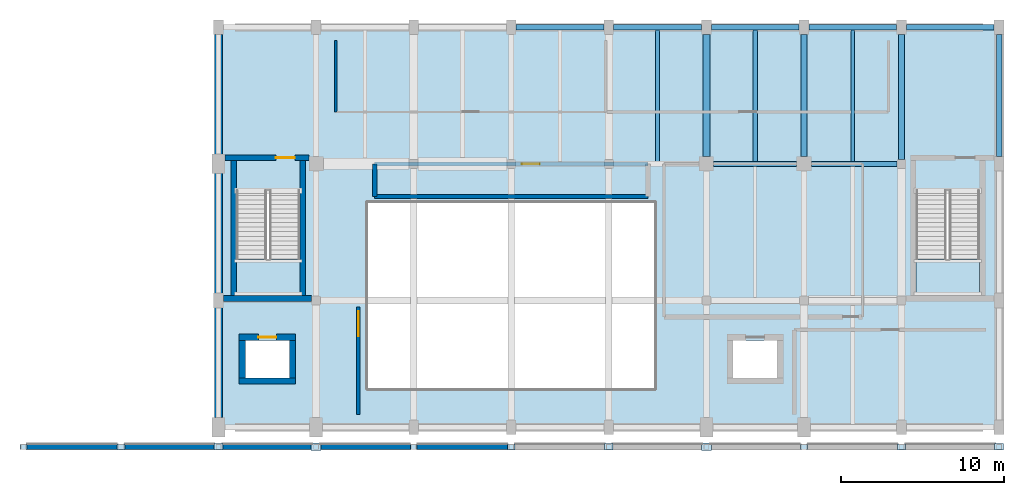
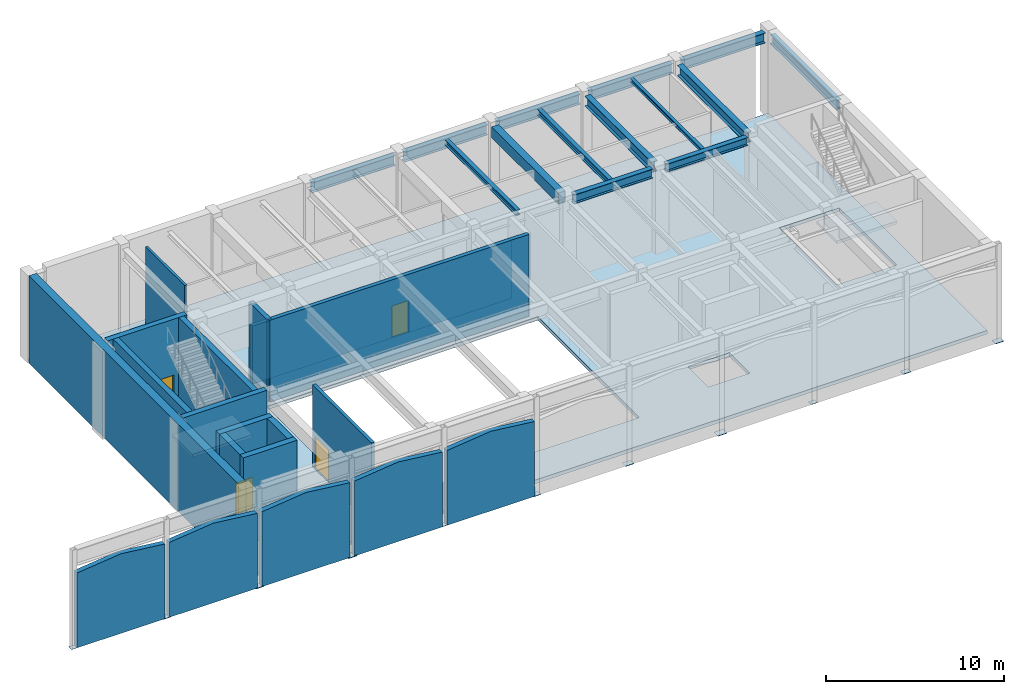
# One storey, part 4 of 8: 19 walls, 14 beams, 11 plates, 4 doors, 3 slabs, 4 openings, 2 elements without a shape of their own.
"""IFC4 building model written with IfcOpenShell, lengths in metres."""

from ifc_helpers import new_model, si_unit, direction, frame, frame_2d, origin, origin_2d, place, context, subcontext, project, spatial, polyline, rectangle, i_section, outline, extrude, material, layer, layer_set, material_profile, profile_set, type_object, element, fill, aggregate, save


model = new_model("IFC4")

# Units and contexts
model_context = context("Model", 3, precision=1e-05, world=origin(), true_north=direction((0.0, 1.0)))
body_context = subcontext(model_context, "Body", "Model", "MODEL_VIEW")
ifc_project = project(units=[si_unit("LENGTHUNIT", "METRE"), si_unit("AREAUNIT", "SQUARE_METRE"), si_unit("VOLUMEUNIT", "CUBIC_METRE"), si_unit("PLANEANGLEUNIT", "RADIAN"), si_unit("MASSUNIT", "GRAM", prefix="KILO")], contexts=[model_context])

# Site, building, storey
site_placement = place(None, origin())
site = spatial("IfcSite", under=ifc_project, at=site_placement, CompositionType="ELEMENT")
building_placement = place(site_placement, origin())
building = spatial("IfcBuilding", under=site, at=building_placement, Name="Vaelkrest Opera House", CompositionType="ELEMENT")
storey_placement = place(building_placement, frame((0.0, 0.0, 30.0)))
storey = spatial("IfcBuildingStorey", under=building, at=storey_placement, Name="L06", CompositionType="ELEMENT", Elevation=30.0)

# Beams
ifc_material_1 = material(Name="Concrete C50/60", Category="concrete")
ifc_material_profile_1 = material_profile(ifc_material_1, rectangle(XDim=0.449951171875, YDim=0.75, at=origin_2d()), Name="RCB450X750")
ifc_profile_set_1 = profile_set([ifc_material_profile_1], Name="Concrete C50/60")
beam_type_1 = type_object("IfcBeamType", Name="B02", PredefinedType="BEAM", material=ifc_profile_set_1)
beam_1_placement = place(storey_placement, frame((12.0, 34.050048828125, 5.330078125), z_axis=(0.0, 1.0, 0.0), x_axis=(-1.0, 0.0, 0.0)))
element("IfcBeam", 1, at=beam_1_placement, inside=storey, type_object=beam_type_1, Name="Beam BM-V2-L06-1243", PredefinedType="BEAM", context=body_context, shape_type="SweptSolid", body=[
    extrude(rectangle(XDim=0.449951171875, YDim=0.75, at=origin_2d()), origin(), (0.0, 0.0, 1.0), 7.5),
])
ifc_material_2 = material(Name="Steel A992 Gr50", Category="steel")
ifc_material_profile_2 = material_profile(ifc_material_2, i_section(OverallWidth=0.35498046875, OverallDepth=0.695068359375, WebThickness=0.015380859375, FlangeThickness=0.02490234375, at=origin_2d()), Name="W27X146")
ifc_profile_set_2 = profile_set([ifc_material_profile_2], Name="Steel A992 Gr50")
beam_type_2 = type_object("IfcBeamType", Name="B10", PredefinedType="BEAM", material=ifc_profile_set_2)
beam_2_placement = place(storey_placement, frame((24.0, 33.875, 5.357421875), z_axis=(0.0, 1.0, 0.0), x_axis=(-1.0, 0.0, 0.0)))
element("IfcBeam", 2, at=beam_2_placement, inside=storey, type_object=beam_type_2, Name="Beam BM-V2-L06-1249", PredefinedType="BEAM", context=body_context, shape_type="SweptSolid", body=[
    extrude(i_section(OverallWidth=0.35498046875, OverallDepth=0.695068359375, WebThickness=0.015380859375, FlangeThickness=0.02490234375, at=origin_2d()), origin(), (0.0, 0.0, 1.0), 7.675048828125),
])
ifc_material_profile_3 = material_profile(ifc_material_2, i_section(OverallWidth=0.35791015625, OverallDepth=0.7060546875, WebThickness=0.018310546875, FlangeThickness=0.0302734375, at=origin_2d()), Name="W27X178")
ifc_profile_set_3 = profile_set([ifc_material_profile_3], Name="Steel A992 Gr50")
beam_type_3 = type_object("IfcBeamType", Name="B14", PredefinedType="BEAM", material=ifc_profile_set_3)
beam_3_placement = place(storey_placement, frame((18.0, 34.050048828125, 5.35205078125), z_axis=(0.0, 1.0, 0.0), x_axis=(-1.0, 0.0, 0.0)))
element("IfcBeam", 3, at=beam_3_placement, inside=storey, type_object=beam_type_3, Name="Beam BM-V2-L06-1246", PredefinedType="BEAM", context=body_context, shape_type="SweptSolid", body=[
    extrude(i_section(OverallWidth=0.35791015625, OverallDepth=0.7060546875, WebThickness=0.018310546875, FlangeThickness=0.0302734375, at=origin_2d()), origin(), (0.0, 0.0, 1.0), 7.5),
])
ifc_material_profile_4 = material_profile(ifc_material_2, i_section(OverallWidth=0.326904296875, OverallDepth=0.6220703125, WebThickness=0.015380859375, FlangeThickness=0.0244140625, at=origin_2d()), Name="W24X131")
ifc_profile_set_4 = profile_set([ifc_material_profile_4], Name="Steel A992 Gr50")
beam_type_4 = type_object("IfcBeamType", Name="B19", PredefinedType="BEAM", material=ifc_profile_set_4)
beam_4_placement = place(storey_placement, frame((12.449951171875, 33.60009765625, 5.39404296875), z_axis=(1.0, 0.0, 0.0), x_axis=(0.0, 1.0, 0.0)))
element("IfcBeam", 4, at=beam_4_placement, inside=storey, type_object=beam_type_4, Name="Beam BM-V2-L06-1219", PredefinedType="BEAM", context=body_context, shape_type="SweptSolid", body=[
    extrude(i_section(OverallWidth=0.326904296875, OverallDepth=0.6220703125, WebThickness=0.015380859375, FlangeThickness=0.0244140625, at=origin_2d()), origin(), (0.0, 0.0, 1.0), 5.10009765625),
])
ifc_material_profile_5 = material_profile(ifc_material_2, i_section(OverallWidth=0.31494140625, OverallDepth=0.551025390625, WebThickness=0.01513671875, FlangeThickness=0.0244140625, at=origin_2d()), Name="W21X122")
ifc_profile_set_5 = profile_set([ifc_material_profile_5], Name="Steel A992 Gr50")
beam_type_5 = type_object("IfcBeamType", Name="B20", PredefinedType="BEAM", material=ifc_profile_set_5)
beam_5_placement = place(storey_placement, frame((18.449951171875, 33.60009765625, 5.429443359375), z_axis=(1.0, 0.0, 0.0), x_axis=(0.0, 1.0, 0.0)))
element("IfcBeam", 5, at=beam_5_placement, inside=storey, type_object=beam_type_5, Name="Beam BM-V2-L06-1220", PredefinedType="BEAM", context=body_context, shape_type="SweptSolid", body=[
    extrude(i_section(OverallWidth=0.31494140625, OverallDepth=0.551025390625, WebThickness=0.01513671875, FlangeThickness=0.0244140625, at=origin_2d()), origin(), (0.0, 0.0, 1.0), 5.275146484375),
])
ifc_material_profile_6 = material_profile(ifc_material_2, i_section(OverallWidth=0.2041015625, OverallDepth=0.257080078125, WebThickness=0.0087890625, FlangeThickness=0.015625, at=origin_2d()), Name="W10X45")
ifc_profile_set_6 = profile_set([ifc_material_profile_6], Name="Steel A992 Gr50")
beam_type_6 = type_object("IfcBeamType", Name="J01", PredefinedType="JOIST", material=ifc_profile_set_6)
beam_6_placement = place(storey_placement, frame((21.0, 33.757568359375, 5.576416015625), z_axis=(0.0, 1.0, 0.0), x_axis=(-1.0, 0.0, 0.0)))
element("IfcBeam", 6, at=beam_6_placement, inside=storey, type_object=beam_type_6, Name="Floor joist JST-V2-L06-1261", PredefinedType="JOIST", context=body_context, shape_type="SweptSolid", body=[
    extrude(i_section(OverallWidth=0.2041015625, OverallDepth=0.257080078125, WebThickness=0.0087890625, FlangeThickness=0.015625, at=origin_2d()), origin(), (0.0, 0.0, 1.0), 8.06494140625),
])
ifc_material_profile_7 = material_profile(ifc_material_2, i_section(OverallWidth=0.257080078125, OverallDepth=0.363037109375, WebThickness=0.012939453125, FlangeThickness=0.021728515625, at=origin_2d()), Name="W14X82")
ifc_profile_set_7 = profile_set([ifc_material_profile_7], Name="Steel A992 Gr50")
beam_type_7 = type_object("IfcBeamType", Name="J06", PredefinedType="JOIST", material=ifc_profile_set_7)
beam_7_placement = place(storey_placement, frame((9.0, 33.763916015625, 5.5234375), z_axis=(0.0, 1.0, 0.0), x_axis=(-1.0, 0.0, 0.0)))
element("IfcBeam", 7, at=beam_7_placement, inside=storey, type_object=beam_type_7, Name="Floor joist JST-V2-L06-1256", PredefinedType="JOIST", context=body_context, shape_type="SweptSolid", body=[
    extrude(i_section(OverallWidth=0.257080078125, OverallDepth=0.363037109375, WebThickness=0.012939453125, FlangeThickness=0.021728515625, at=origin_2d()), origin(), (0.0, 0.0, 1.0), 8.05859375),
])
ifc_material_profile_8 = material_profile(ifc_material_2, i_section(OverallWidth=0.261962890625, OverallDepth=0.4189453125, WebThickness=0.01171875, FlangeThickness=0.019287109375, at=origin_2d()), Name="W16X77")
ifc_profile_set_8 = profile_set([ifc_material_profile_8], Name="Steel A992 Gr50")
beam_type_8 = type_object("IfcBeamType", Name="J08", PredefinedType="JOIST", material=ifc_profile_set_8)
beam_8_placement = place(storey_placement, frame((15.0, 33.763427734375, 5.49560546875), z_axis=(0.0, 1.0, 0.0), x_axis=(-1.0, 0.0, 0.0)))
element("IfcBeam", 8, at=beam_8_placement, inside=storey, type_object=beam_type_8, Name="Floor joist JST-V2-L06-1258", PredefinedType="JOIST", context=body_context, shape_type="SweptSolid", body=[
    extrude(i_section(OverallWidth=0.261962890625, OverallDepth=0.4189453125, WebThickness=0.01171875, FlangeThickness=0.019287109375, at=origin_2d()), origin(), (0.0, 0.0, 1.0), 8.05908203125),
])
ifc_material_profile_9 = material_profile(ifc_material_2, i_section(OverallWidth=0.323974609375, OverallDepth=0.611083984375, WebThickness=0.0126953125, FlangeThickness=0.01904296875, at=origin_2d()), Name="W24X104")
ifc_profile_set_9 = profile_set([ifc_material_profile_9], Name="Steel A992 Gr50")
beam_type_9 = type_object("IfcBeamType", Name="SP01", PredefinedType="SPANDREL", material=ifc_profile_set_9)
beam_9_placement = place(storey_placement, frame((30.0, 34.050048828125, 5.3994140625), z_axis=(0.0, 1.0, 0.0), x_axis=(-1.0, 0.0, 0.0)))
element("IfcBeam", 9, at=beam_9_placement, inside=storey, type_object=beam_type_9, Name="Beam BM-V2-L06-1252", PredefinedType="SPANDREL", context=body_context, shape_type="SweptSolid", body=[
    extrude(i_section(OverallWidth=0.323974609375, OverallDepth=0.611083984375, WebThickness=0.0126953125, FlangeThickness=0.01904296875, at=origin_2d()), origin(), (0.0, 0.0, 1.0), 7.5),
])
ifc_material_profile_10 = material_profile(ifc_material_2, i_section(OverallWidth=0.35498046875, OverallDepth=0.695068359375, WebThickness=0.015380859375, FlangeThickness=0.02490234375, at=origin_2d()), Name="W27X146")
ifc_profile_set_10 = profile_set([ifc_material_profile_10], Name="Steel A992 Gr50")
beam_type_10 = type_object("IfcBeamType", Name="SP02", PredefinedType="SPANDREL", material=ifc_profile_set_10)
for number, where, z_axis, x_axis, name in (
    (10, (0.300048828125, 42.0, 5.357421875), (1.0, 0.0, 0.0), (0.0, 1.0, 0.0), "Beam BM-V2-L06-1224"),
    (11, (6.300048828125, 42.0, 5.357421875), (1.0, 0.0, 0.0), (0.0, 1.0, 0.0), "Beam BM-V2-L06-1225"),
    (12, (12.300048828125, 42.0, 5.357421875), (1.0, 0.0, 0.0), (0.0, 1.0, 0.0), "Beam BM-V2-L06-1226"),
    (13, (18.300048828125, 42.0, 5.357421875), (1.0, 0.0, 0.0), (0.0, 1.0, 0.0), "Beam BM-V2-L06-1227"),
    (14, (24.300048828125, 42.0, 5.357421875), (1.0, 0.0, 0.0), (0.0, 1.0, 0.0), "Beam BM-V2-L06-1228"),
):
    element("IfcBeam", number, at=place(storey_placement, frame(where, z_axis=z_axis, x_axis=x_axis)), inside=storey, type_object=beam_type_10, Name=name, PredefinedType="SPANDREL", context=body_context, shape_type="SweptSolid", body=[
        extrude(i_section(OverallWidth=0.35498046875, OverallDepth=0.695068359375, WebThickness=0.015380859375, FlangeThickness=0.02490234375, at=origin_2d()), origin(), (0.0, 0.0, 1.0), 5.39990234375),
    ])

# Slab
ifc_material_3 = material(Name="Concrete C40/50", Category="concrete")
ifc_layer_1 = layer(ifc_material_3, 0.2451171875)
ifc_layer_set_1 = layer_set([ifc_layer_1], Name="Concrete C40/50")
slab_type_1 = type_object("IfcSlabType", Name="FS01", PredefinedType="FLOOR", material=ifc_layer_set_1)
slab_1_placement = place(storey_placement, frame((0.0, 0.0, -0.2451171875)))
element("IfcSlab", 15, at=slab_1_placement, inside=storey, type_object=slab_type_1, Name="Floor slab SLB-V2-L06-016", PredefinedType="FLOOR", context=body_context, shape_type="SweptSolid", body=[
    extrude(outline(polyline([(-18.0, 17.39990234375), (30.0, 17.39990234375), (30.0, 42.0), (-18.0, 42.0), (-18.0, 17.39990234375)]), holes=[polyline([(-8.800048828125, 19.800048828125), (8.800048828125, 19.800048828125), (8.800048828125, 31.199951171875), (-8.800048828125, 31.199951171875), (-8.800048828125, 19.800048828125)]), polyline([(-16.89990234375, 31.949951171875), (-16.89990234375, 25.5), (-13.0, 25.5), (-13.0, 31.949951171875), (-16.89990234375, 31.949951171875)]), polyline([(24.89990234375, 31.949951171875), (24.89990234375, 25.5), (28.800048828125, 25.5), (28.800048828125, 31.949951171875), (24.89990234375, 31.949951171875)]), polyline([(-16.35009765625, 20.449951171875), (-13.64990234375, 20.449951171875), (-13.64990234375, 22.75), (-16.35009765625, 22.75), (-16.35009765625, 20.449951171875)]), polyline([(13.64990234375, 20.449951171875), (16.35009765625, 20.449951171875), (16.35009765625, 22.75), (13.64990234375, 22.75), (13.64990234375, 20.449951171875)])]), origin(), (0.0, 0.0, 1.0), 0.2451171875),
])

# Plates
ifc_material_4 = material(Name="Steel A572 Gr50", Category="steel")
ifc_layer_2 = layer(ifc_material_4, 0.02001953125)
ifc_layer_set_2 = layer_set([ifc_layer_2], Name="Steel A572 Gr50")
plate_type_1 = type_object("IfcPlateType", Name="GP01", PredefinedType="USERDEFINED", material=ifc_layer_set_2)
for number, where, z_axis, x_axis, name in (
    (16, (-30.0, 16.199951171875, 0.0), (0.0, 0.0, 1.0), (1.0, 0.0, 0.0), "Roof leg base plate V1-N-00"),
    (17, (-6.0, 16.199951171875, 0.0), (0.0, 0.0, 1.0), (1.0, 0.0, 0.0), "Roof leg base plate V1-N-04"),
    (18, (18.0, 16.199951171875, 0.0), (0.0, 0.0, 1.0), (1.0, 0.0, 0.0), "Roof leg base plate V1-N-08"),
):
    element("IfcPlate", number, at=place(storey_placement, frame(where, z_axis=z_axis, x_axis=x_axis)), inside=storey, type_object=plate_type_1, Name=name, ObjectType="GUSSET PLATE", PredefinedType="USERDEFINED", context=body_context, shape_type="SweptSolid", body=[
        extrude(rectangle(XDim=0.419921875, YDim=0.320068359375, at=origin_2d()), origin(), (0.0, 0.0, 1.0), 0.02001953125),
    ])
ifc_layer_3 = layer(ifc_material_4, 0.02392578125)
ifc_layer_set_3 = layer_set([ifc_layer_3], Name="Steel A572 Gr50")
plate_type_2 = type_object("IfcPlateType", Name="GP02", PredefinedType="USERDEFINED", material=ifc_layer_set_3)
for number, where, z_axis, x_axis, name in (
    (19, (-24.0, 16.199951171875, 0.0), (0.0, 0.0, 1.0), (1.0, 0.0, 0.0), "Roof leg base plate V1-N-01"),
    (20, (0.0, 16.199951171875, 0.0), (0.0, 0.0, 1.0), (1.0, 0.0, 0.0), "Roof leg base plate V1-N-05"),
    (21, (24.0, 16.199951171875, 0.0), (0.0, 0.0, 1.0), (1.0, 0.0, 0.0), "Roof leg base plate V1-N-09"),
):
    element("IfcPlate", number, at=place(storey_placement, frame(where, z_axis=z_axis, x_axis=x_axis)), inside=storey, type_object=plate_type_2, Name=name, ObjectType="GUSSET PLATE", PredefinedType="USERDEFINED", context=body_context, shape_type="SweptSolid", body=[
        extrude(rectangle(XDim=0.47998046875, YDim=0.360107421875, at=origin_2d()), origin(), (0.0, 0.0, 1.0), 0.02392578125),
    ])
ifc_layer_4 = layer(ifc_material_4, 0.028076171875)
ifc_layer_set_4 = layer_set([ifc_layer_4], Name="Steel A572 Gr50")
plate_type_3 = type_object("IfcPlateType", Name="GP03", PredefinedType="USERDEFINED", material=ifc_layer_set_4)
for number, where, z_axis, x_axis, name in (
    (22, (-18.0, 16.199951171875, 0.0), (0.0, 0.0, 1.0), (1.0, 0.0, 0.0), "Roof leg base plate V1-N-02"),
    (23, (6.0, 16.199951171875, 0.0), (0.0, 0.0, 1.0), (1.0, 0.0, 0.0), "Roof leg base plate V1-N-06"),
    (24, (30.0, 16.199951171875, 0.0), (0.0, 0.0, 1.0), (1.0, 0.0, 0.0), "Roof leg base plate V1-N-10"),
):
    element("IfcPlate", number, at=place(storey_placement, frame(where, z_axis=z_axis, x_axis=x_axis)), inside=storey, type_object=plate_type_3, Name=name, ObjectType="GUSSET PLATE", PredefinedType="USERDEFINED", context=body_context, shape_type="SweptSolid", body=[
        extrude(rectangle(XDim=0.5400390625, YDim=0.39990234375, at=origin_2d()), origin(), (0.0, 0.0, 1.0), 0.028076171875),
    ])
ifc_layer_5 = layer(ifc_material_4, 0.031982421875)
ifc_layer_set_5 = layer_set([ifc_layer_5], Name="Steel A572 Gr50")
plate_type_4 = type_object("IfcPlateType", Name="GP04", PredefinedType="USERDEFINED", material=ifc_layer_set_5)
for number, where, z_axis, x_axis, name in (
    (25, (-12.0, 16.199951171875, 0.0), (0.0, 0.0, 1.0), (1.0, 0.0, 0.0), "Roof leg base plate V1-N-03"),
    (26, (12.0, 16.199951171875, 0.0), (0.0, 0.0, 1.0), (1.0, 0.0, 0.0), "Roof leg base plate V1-N-07"),
):
    element("IfcPlate", number, at=place(storey_placement, frame(where, z_axis=z_axis, x_axis=x_axis)), inside=storey, type_object=plate_type_4, Name=name, ObjectType="GUSSET PLATE", PredefinedType="USERDEFINED", context=body_context, shape_type="SweptSolid", body=[
        extrude(rectangle(XDim=0.60009765625, YDim=0.449951171875, at=origin_2d()), origin(), (0.0, 0.0, 1.0), 0.031982421875),
    ])

# Stair, slab
stair_type_1 = type_object("IfcStairType", Name="ST05", PredefinedType="TWO_STRAIGHT_RUN_STAIR", material=ifc_material_3)
stair_1_placement = place(storey_placement, origin())
stair_1 = element("IfcStair", 27, at=stair_1_placement, inside=storey, type_object=stair_type_1, Name="L06 Protected exit stair ST05", PredefinedType="TWO_STRAIGHT_RUN_STAIR")
ifc_layer_6 = layer(ifc_material_3, 0.199951171875)
ifc_layer_set_6 = layer_set([ifc_layer_6], Name="Concrete C40/50")
slab_type_2 = type_object("IfcSlabType", Name="SLD01", PredefinedType="LANDING", material=ifc_layer_set_6)
slab_2_placement = place(storey_placement, frame((0.0, 0.0, 2.800048828125)))
slab_2 = element("IfcSlab", 28, at=slab_2_placement, type_object=slab_type_2, Name="ST05 landing 1", PredefinedType="LANDING", context=body_context, shape_type="SweptSolid", body=[
    extrude(outline(polyline([(-16.89990234375, 27.75), (-16.89990234375, 25.5), (-13.0, 25.5), (-13.0, 27.75), (-16.89990234375, 27.75)])), origin(), (0.0, 0.0, 1.0), 0.199951171875),
])
aggregate(stair_1, [slab_2])

stair_type_2 = type_object("IfcStairType", Name="ST06", PredefinedType="TWO_STRAIGHT_RUN_STAIR", material=ifc_material_3)
stair_2_placement = place(storey_placement, origin())
stair_2 = element("IfcStair", 29, at=stair_2_placement, inside=storey, type_object=stair_type_2, Name="L06 Protected exit stair ST06", PredefinedType="TWO_STRAIGHT_RUN_STAIR")
slab_3_placement = place(storey_placement, frame((0.0, 0.0, 2.800048828125)))
slab_3 = element("IfcSlab", 30, at=slab_3_placement, type_object=slab_type_2, Name="ST06 landing 1", PredefinedType="LANDING", context=body_context, shape_type="SweptSolid", body=[
    extrude(outline(polyline([(24.89990234375, 27.75), (24.89990234375, 25.5), (28.800048828125, 25.5), (28.800048828125, 27.75), (24.89990234375, 27.75)])), origin(), (0.0, 0.0, 1.0), 0.199951171875),
])
aggregate(stair_2, [slab_3])

# Walls
ifc_material_5 = material(Name="American black walnut acoustic timber", Category="wood")
ifc_layer_7 = layer(ifc_material_5, 0.31494140625)
ifc_layer_set_7 = layer_set([ifc_layer_7], Name="American black walnut acoustic timber")
wall_type_1 = type_object("IfcWallType", Name="EW04", PredefinedType="STANDARD", material=ifc_layer_set_7)
for number, where, z_axis, x_axis, name in (
    (31, (-29.85009765625, 16.199951171875, 0.0), (0.0, 0.0, 1.0), (1.0, 0.0, 0.0), "Pleated roof timber gable infill wall V1-01"),
    (32, (-23.85009765625, 16.199951171875, 0.0), (0.0, 0.0, 1.0), (1.0, 0.0, 0.0), "Pleated roof timber gable infill wall V1-02"),
    (33, (-17.85009765625, 16.199951171875, 0.0), (0.0, 0.0, 1.0), (1.0, 0.0, 0.0), "Pleated roof timber gable infill wall V1-03"),
    (34, (-11.85009765625, 16.199951171875, 0.0), (0.0, 0.0, 1.0), (1.0, 0.0, 0.0), "Pleated roof timber gable infill wall V1-04"),
    (35, (-5.85009765625, 16.199951171875, 0.0), (0.0, 0.0, 1.0), (1.0, 0.0, 0.0), "Pleated roof timber gable infill wall V1-05"),
):
    element("IfcWall", number, at=place(storey_placement, frame(where, z_axis=z_axis, x_axis=x_axis)), inside=storey, type_object=wall_type_1, Name=name, PredefinedType="STANDARD", context=body_context, shape_type="SweptSolid", body=[
        extrude(outline(polyline([(0.0, 0.0), (5.7001953125, 0.0), (5.699951171875, 5.135986328125), (2.85009765625, 5.4599609375), (0.0, 5.135986328125), (0.0, 0.0)])), frame((0.0, 0.157470703125, 0.0), z_axis=(0.0, -1.0, 0.0), x_axis=(1.0, 0.0, 0.0)), (0.0, 0.0, 1.0), 0.31494140625),
    ])
ifc_material_6 = material(Name="Gypsum acoustic board", Category="gypsum")
ifc_layer_8 = layer(ifc_material_6, 0.14990234375)
ifc_layer_set_8 = layer_set([ifc_layer_8], Name="Gypsum acoustic board")
wall_type_2 = type_object("IfcWallType", Name="PT03", PredefinedType="PARTITIONING", material=ifc_layer_set_8)
wall_1_placement = place(storey_placement, frame((-10.800048828125, 36.800048828125, 0.0), z_axis=(0.0, 0.0, 1.0), x_axis=(0.0, 1.0, 0.0)))
element("IfcWall", 36, at=wall_1_placement, inside=storey, type_object=wall_type_2, Name="Interior partition PT-V2-L06-0241", PredefinedType="PARTITIONING", context=body_context, shape_type="SweptSolid", body=[
    extrude(rectangle(XDim=4.39990234375, YDim=0.14990234375, at=frame_2d((2.199951171875, 0.0))), origin(), (0.0, 0.0, 1.0), 5.6201171875),
])

# Wall, opening, door
ifc_layer_9 = layer(ifc_material_5, 0.2099609375)
ifc_layer_set_9 = layer_set([ifc_layer_9], Name="American black walnut acoustic timber")
wall_type_3 = type_object("IfcWallType", Name="PT07", PredefinedType="PARTITIONING", material=ifc_layer_set_9)
wall_2_placement = place(storey_placement, frame((-9.39990234375, 18.199951171875, 0.0), z_axis=(0.0, 0.0, 1.0), x_axis=(0.0, 1.0, 0.0)))
wall_2 = element("IfcWall", 37, at=wall_2_placement, inside=storey, type_object=wall_type_3, Name="Interior partition PT-V2-L06-0235", PredefinedType="PARTITIONING", context=body_context, shape_type="SweptSolid", body=[
    extrude(rectangle(XDim=6.60009765625, YDim=0.2099609375, at=frame_2d((3.300048828125, 0.0))), origin(), (0.0, 0.0, 1.0), 5.6201171875),
])
opening_1_placement = place(wall_2_placement, frame((4.800048828125, 0.0, 0.0)))
opening_1 = element("IfcOpeningElement", 38, at=opening_1_placement, cuts=wall_2, Name="Opening D091", PredefinedType="OPENING", context=body_context, shape_type="SweptSolid", body=[
    extrude(rectangle(XDim=1.550048828125, YDim=2.199951171875, at=frame_2d((0.77490234375, 1.10009765625))), frame((0.0, 0.114990234375, 0.0), z_axis=(0.0, -1.0, 0.0), x_axis=(1.0, 0.0, 0.0)), (0.0, 0.0, 1.0), 0.22998046875),
])
door_type_1 = type_object("IfcDoorType", Name="DT13", OperationType="DOUBLE_DOOR_SINGLE_SWING", PredefinedType="DOOR", material=ifc_material_5)
door_1_placement = place(opening_1_placement, origin())
door_1 = element("IfcDoor", 39, at=door_1_placement, inside=storey, type_object=door_type_1, Name="Interior door D091 (Fly Gallery)", OperationType="DOUBLE_DOOR_SINGLE_SWING", OverallHeight=2.199951171875, OverallWidth=1.550048828125, PredefinedType="DOOR", context=body_context, shape_type="SweptSolid", body=[
    extrude(rectangle(XDim=1.550048828125, YDim=2.199951171875, at=frame_2d((0.77490234375, 1.10009765625))), frame((0.0, 0.02490234375, 0.0), z_axis=(0.0, -1.0, 0.0), x_axis=(1.0, 0.0, 0.0)), (0.0, 0.0, 1.0), 0.050048828125),
])
fill(opening_1, door_1)

# Wall
ifc_layer_10 = layer(ifc_material_3, 0.239990234375)
ifc_layer_set_10 = layer_set([ifc_layer_10], Name="Concrete C40/50")
wall_type_4 = type_object("IfcWallType", Name="PT09", PredefinedType="PARTITIONING", material=ifc_layer_set_10)
wall_3_placement = place(storey_placement, frame((-8.39990234375, 31.60009765625, 0.0), z_axis=(0.0, 0.0, 1.0), x_axis=(1.0, 0.0, 0.0)))
element("IfcWall", 40, at=wall_3_placement, inside=storey, type_object=wall_type_4, Name="Interior partition PT-V2-L06-0247", PredefinedType="PARTITIONING", context=body_context, shape_type="SweptSolid", body=[
    extrude(rectangle(XDim=16.7998046875, YDim=0.239990234375, at=frame_2d((8.39990234375, 0.0))), origin(), (0.0, 0.0, 1.0), 5.6201171875),
])

# Wall, opening, door
ifc_layer_11 = layer(ifc_material_3, 0.260009765625)
ifc_layer_set_11 = layer_set([ifc_layer_11], Name="Concrete C40/50")
wall_type_5 = type_object("IfcWallType", Name="PT10", PredefinedType="PARTITIONING", material=ifc_layer_set_11)
wall_4_placement = place(storey_placement, frame((-8.39990234375, 33.60009765625, 0.0), z_axis=(0.0, 0.0, 1.0), x_axis=(1.0, 0.0, 0.0)))
wall_4 = element("IfcWall", 41, at=wall_4_placement, inside=storey, type_object=wall_type_5, Name="Interior partition PT-V2-L06-0248", PredefinedType="PARTITIONING", context=body_context, shape_type="SweptSolid", body=[
    extrude(rectangle(XDim=16.7998046875, YDim=0.260009765625, at=frame_2d((8.39990234375, 0.0))), origin(), (0.0, 0.0, 1.0), 3.989990234375),
])
opening_2_placement = place(wall_4_placement, frame((9.050048828125, 0.0, 0.0)))
opening_2 = element("IfcOpeningElement", 42, at=opening_2_placement, cuts=wall_4, Name="Opening D096", PredefinedType="OPENING", context=body_context, shape_type="SweptSolid", body=[
    extrude(rectangle(XDim=1.10009765625, YDim=2.199951171875, at=frame_2d((0.550048828125, 1.10009765625))), frame((0.0, 0.139892578125, 0.0), z_axis=(0.0, -1.0, 0.0), x_axis=(1.0, 0.0, 0.0)), (0.0, 0.0, 1.0), 0.280029296875),
])
door_type_2 = type_object("IfcDoorType", Name="DT06", OperationType="NOTDEFINED", PredefinedType="DOOR", material=ifc_material_5)
door_2_placement = place(opening_2_placement, origin())
door_2 = element("IfcDoor", 43, at=door_2_placement, inside=storey, type_object=door_type_2, Name="Interior door D096 (Dimmer Rack Room)", OperationType="SINGLE_SWING_RIGHT", OverallHeight=2.199951171875, OverallWidth=1.10009765625, PredefinedType="DOOR", context=body_context, shape_type="SweptSolid", body=[
    extrude(rectangle(XDim=1.10009765625, YDim=2.199951171875, at=frame_2d((0.550048828125, 1.10009765625))), frame((0.0, 0.02490234375, 0.0), z_axis=(0.0, -1.0, 0.0), x_axis=(1.0, 0.0, 0.0)), (0.0, 0.0, 1.0), 0.050048828125),
])
fill(opening_2, door_2)

# Walls
ifc_layer_12 = layer(ifc_material_3, 0.280029296875)
ifc_layer_set_12 = layer_set([ifc_layer_12], Name="Concrete C40/50")
wall_type_6 = type_object("IfcWallType", Name="PT11", PredefinedType="PARTITIONING", material=ifc_layer_set_12)
wall_5_placement = place(storey_placement, frame((-8.39990234375, 31.60009765625, 0.0), z_axis=(0.0, 0.0, 1.0), x_axis=(0.0, 1.0, 0.0)))
element("IfcWall", 44, at=wall_5_placement, inside=storey, type_object=wall_type_6, Name="Interior partition PT-V2-L06-0249", PredefinedType="PARTITIONING", context=body_context, shape_type="SweptSolid", body=[
    extrude(rectangle(XDim=2.0, YDim=0.280029296875, at=frame_2d((1.0, 0.0))), origin(), (0.0, 0.0, 1.0), 5.6201171875),
])
ifc_layer_13 = layer(ifc_material_1, 0.35009765625)
ifc_layer_set_13 = layer_set([ifc_layer_13], Name="Concrete C50/60")
wall_type_7 = type_object("IfcWallType", Name="SW01", PredefinedType="SHEAR", material=ifc_layer_set_13)
wall_6_placement = place(storey_placement, frame((-12.27490234375, 25.324951171875, 0.0), z_axis=(0.0, 0.0, 1.0), x_axis=(-1.0, 0.0, 0.0)))
element("IfcWall", 45, at=wall_6_placement, inside=storey, type_object=wall_type_7, Name="Stair core ST05 wall L06 S", PredefinedType="SHEAR", context=body_context, shape_type="SweptSolid", body=[
    extrude(rectangle(XDim=5.425048828125, YDim=0.35009765625, at=frame_2d((2.71240234375, 0.0))), origin(), (0.0, 0.0, 1.0), 6.0),
])
wall_7_placement = place(storey_placement, frame((-17.074951171875, 25.5, 0.0), z_axis=(0.0, 0.0, 1.0), x_axis=(0.0, 1.0, 0.0)))
element("IfcWall", 46, at=wall_7_placement, inside=storey, type_object=wall_type_7, Name="Stair core ST05 wall L06 W", PredefinedType="SHEAR", context=body_context, shape_type="SweptSolid", body=[
    extrude(rectangle(XDim=8.300048828125, YDim=0.35009765625, at=frame_2d((4.14990234375, 0.0))), origin(), (0.0, 0.0, 1.0), 6.0),
])

# Wall, opening, door
wall_8_placement = place(storey_placement, frame((-17.60009765625, 33.97509765625, 0.0), z_axis=(0.0, 0.0, 1.0), x_axis=(1.0, 0.0, 0.0)))
wall_8 = element("IfcWall", 47, at=wall_8_placement, inside=storey, type_object=wall_type_7, Name="Stair core ST05 wall L06 N", PredefinedType="SHEAR", context=body_context, shape_type="SweptSolid", body=[
    extrude(rectangle(XDim=5.150146484375, YDim=0.35009765625, at=frame_2d((2.5751953125, 0.0))), origin(), (0.0, 0.0, 1.0), 6.0),
])
opening_3_placement = place(wall_8_placement, frame((3.1201171875, 0.0, 0.0)))
opening_3 = element("IfcOpeningElement", 48, at=opening_3_placement, cuts=wall_8, Name="Opening SD-ST05-L06", PredefinedType="OPENING", context=body_context, shape_type="SweptSolid", body=[
    extrude(rectangle(XDim=1.179931640625, YDim=2.14990234375, at=frame_2d((0.58984375, 1.074951171875))), frame((0.0, 0.18505859375, 0.0), z_axis=(0.0, -1.0, 0.0), x_axis=(1.0, 0.0, 0.0)), (0.0, 0.0, 1.0), 0.3701171875),
])
door_type_3 = type_object("IfcDoorType", Name="DT07", OperationType="NOTDEFINED", PredefinedType="DOOR", material=ifc_material_5)
door_3_placement = place(opening_3_placement, origin())
door_3 = element("IfcDoor", 49, at=door_3_placement, inside=storey, type_object=door_type_3, Name="Protected stair door SD-ST05-L06", OperationType="SINGLE_SWING_LEFT", OverallHeight=2.14990234375, OverallWidth=1.179931640625, PredefinedType="DOOR", context=body_context, shape_type="SweptSolid", body=[
    extrude(rectangle(XDim=1.179931640625, YDim=2.14990234375, at=frame_2d((0.58984375, 1.074951171875))), frame((0.0, 0.02490234375, 0.0), z_axis=(0.0, -1.0, 0.0), x_axis=(1.0, 0.0, 0.0)), (0.0, 0.0, 1.0), 0.050048828125),
])
fill(opening_3, door_3)

# Walls
wall_9_placement = place(storey_placement, frame((-12.824951171875, 33.800048828125, 0.0), z_axis=(0.0, 0.0, 1.0), x_axis=(0.0, -1.0, 0.0)))
element("IfcWall", 50, at=wall_9_placement, inside=storey, type_object=wall_type_7, Name="Stair core ST05 wall L06 E", PredefinedType="SHEAR", context=body_context, shape_type="SweptSolid", body=[
    extrude(rectangle(XDim=8.300048828125, YDim=0.35009765625, at=frame_2d((4.14990234375, 0.0))), origin(), (0.0, 0.0, 1.0), 6.0),
])
ifc_layer_14 = layer(ifc_material_1, 0.389892578125)
ifc_layer_set_14 = layer_set([ifc_layer_14], Name="Concrete C50/60")
wall_type_8 = type_object("IfcWallType", Name="SW02", PredefinedType="SHEAR", material=ifc_layer_set_14)
wall_10_placement = place(storey_placement, frame((-13.260009765625, 20.2548828125, 0.0), z_axis=(0.0, 0.0, 1.0), x_axis=(-1.0, 0.0, 0.0)))
element("IfcWall", 51, at=wall_10_placement, inside=storey, type_object=wall_type_8, Name="Lift shaft LF01 wall L06 S", PredefinedType="SHEAR", context=body_context, shape_type="SweptSolid", body=[
    extrude(rectangle(XDim=3.47998046875, YDim=0.389892578125, at=frame_2d((1.739990234375, 0.0))), origin(), (0.0, 0.0, 1.0), 6.0),
])

# Wall, opening, door
wall_11_placement = place(storey_placement, frame((-16.739990234375, 22.945068359375, 0.0), z_axis=(0.0, 0.0, 1.0), x_axis=(1.0, 0.0, 0.0)))
wall_11 = element("IfcWall", 52, at=wall_11_placement, inside=storey, type_object=wall_type_8, Name="Lift shaft LF01 wall L06 N", PredefinedType="SHEAR", context=body_context, shape_type="SweptSolid", body=[
    extrude(rectangle(XDim=3.47998046875, YDim=0.389892578125, at=frame_2d((1.739990234375, 0.0))), origin(), (0.0, 0.0, 1.0), 6.0),
])
opening_4_placement = place(wall_11_placement, frame((1.18994140625, 0.0, 0.0)))
opening_4 = element("IfcOpeningElement", 53, at=opening_4_placement, cuts=wall_11, Name="Opening LD-LF01-L06", PredefinedType="OPENING", context=body_context, shape_type="SweptSolid", body=[
    extrude(rectangle(XDim=1.10009765625, YDim=2.14990234375, at=frame_2d((0.550048828125, 1.074951171875))), frame((0.0, 0.204833984375, 0.0), z_axis=(0.0, -1.0, 0.0), x_axis=(1.0, 0.0, 0.0)), (0.0, 0.0, 1.0), 0.409912109375),
])
ifc_material_7 = material(Name="Dark bronze anodized aluminium", Category="aluminium")
door_type_4 = type_object("IfcDoorType", Name="LDT01", OperationType="SLIDING_TO_LEFT", PredefinedType="DOOR", material=ifc_material_7)
door_4_placement = place(opening_4_placement, origin())
door_4 = element("IfcDoor", 54, at=door_4_placement, inside=storey, type_object=door_type_4, Name="Lift landing sliding door LD-LF01-L06", OperationType="SLIDING_TO_LEFT", OverallHeight=2.14990234375, OverallWidth=1.10009765625, PredefinedType="DOOR", context=body_context, shape_type="SweptSolid", body=[
    extrude(rectangle(XDim=1.10009765625, YDim=2.14990234375, at=frame_2d((0.550048828125, 1.074951171875))), frame((0.0, 0.02490234375, 0.0), z_axis=(0.0, -1.0, 0.0), x_axis=(1.0, 0.0, 0.0)), (0.0, 0.0, 1.0), 0.050048828125),
])
fill(opening_4, door_4)

# Walls
for number, where, z_axis, x_axis, name in (
    (55, (-16.544921875, 20.449951171875, 0.0), (0.0, 0.0, 1.0), (0.0, 1.0, 0.0), "Lift shaft LF01 wall L06 W"),
    (56, (-13.455078125, 22.75, 0.0), (0.0, 0.0, 1.0), (0.0, -1.0, 0.0), "Lift shaft LF01 wall L06 E"),
):
    element("IfcWall", number, at=place(storey_placement, frame(where, z_axis=z_axis, x_axis=x_axis)), inside=storey, type_object=wall_type_8, Name=name, PredefinedType="SHEAR", context=body_context, shape_type="SweptSolid", body=[
        extrude(rectangle(XDim=2.300048828125, YDim=0.389892578125, at=frame_2d((1.14990234375, 0.0))), origin(), (0.0, 0.0, 1.0), 6.0),
    ])
ifc_layer_15 = layer(ifc_material_1, 0.5)
ifc_layer_set_15 = layer_set([ifc_layer_15], Name="Concrete C50/60")
wall_type_9 = type_object("IfcWallType", Name="SW05", PredefinedType="SHEAR", material=ifc_layer_set_15)
wall_12_placement = place(storey_placement, frame((-18.0, 18.0, 0.0), z_axis=(0.0, 0.0, 1.0), x_axis=(0.0, 1.0, 0.0)))
element("IfcWall", 57, at=wall_12_placement, inside=storey, type_object=wall_type_9, Name="Fly tower west shear wall L06", PredefinedType="SHEAR", context=body_context, shape_type="SweptSolid", body=[
    extrude(rectangle(XDim=23.550048828125, YDim=0.5, at=frame_2d((11.77490234375, 0.0))), origin(), (0.0, 0.0, 1.0), 6.0),
])

save(model, "model.ifc")
